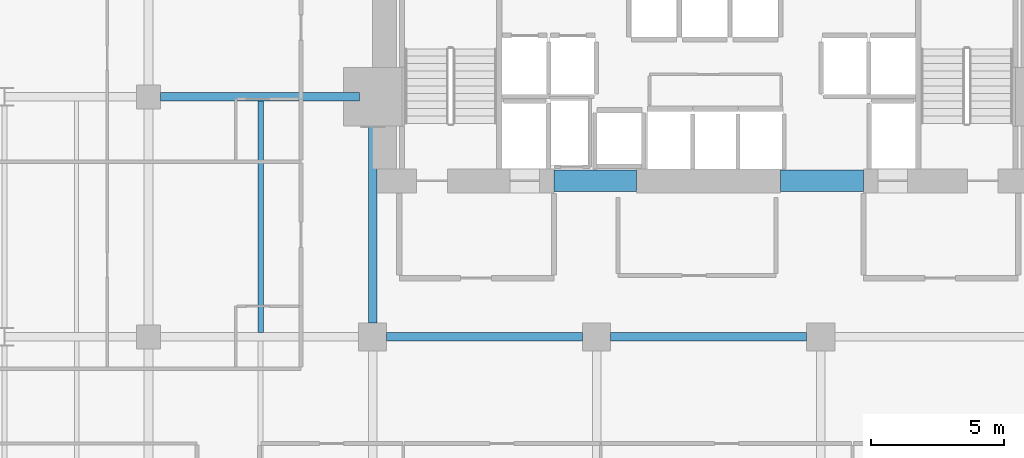
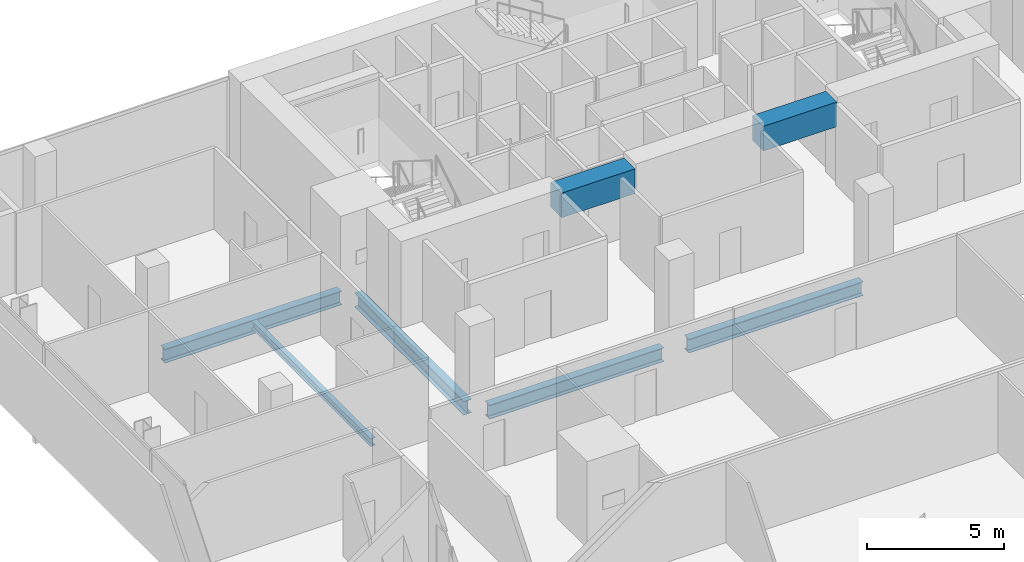
# One storey, part 24 of 40: 7 beams.
"""IFC4 building model written with IfcOpenShell, lengths in metres."""

from ifc_helpers import new_model, si_unit, direction, frame, origin, origin_2d, place, context, subcontext, project, spatial, rectangle, i_section, extrude, material, material_profile, profile_set, type_object, element, save


model = new_model("IFC4")

# Units and contexts
model_context = context("Model", 3, precision=1e-05, world=origin(), true_north=direction((0.0, 1.0)))
body_context = subcontext(model_context, "Body", "Model", "MODEL_VIEW")
ifc_project = project(units=[si_unit("LENGTHUNIT", "METRE"), si_unit("AREAUNIT", "SQUARE_METRE"), si_unit("VOLUMEUNIT", "CUBIC_METRE"), si_unit("PLANEANGLEUNIT", "RADIAN"), si_unit("MASSUNIT", "GRAM", prefix="KILO")], contexts=[model_context])

# Site, building, storey
site_placement = place(None, origin())
site = spatial("IfcSite", under=ifc_project, at=site_placement, CompositionType="ELEMENT")
building_placement = place(site_placement, origin())
building = spatial("IfcBuilding", under=site, at=building_placement, Name="Maruvema Waterfront Hotel and Observation Tower", CompositionType="ELEMENT")
storey_placement = place(building_placement, frame((0.0, 0.0, 53.89990234375)))
storey = spatial("IfcBuildingStorey", under=building, at=storey_placement, Name="L12", CompositionType="ELEMENT", Elevation=53.89990234375)

# Beams
ifc_material_1 = material(Name="Concrete C60/75", Category="concrete")
ifc_material_profile_1 = material_profile(ifc_material_1, rectangle(XDim=0.800048828125, YDim=1.10009765625, at=origin_2d()), Name="CB800x1100")
ifc_profile_set_1 = profile_set([ifc_material_profile_1], Name="Concrete C60/75")
beam_type_1 = type_object("IfcBeamType", Name="Core Coupling Lintel Beam CB800x1100", PredefinedType="LINTEL", material=ifc_profile_set_1)
for number, where, z_axis, x_axis, name in (
    (1, (32.0, 41.85009765625, 3.06005859375), (1.0, 0.0, 0.0), (0.0, 1.0, 0.0), "L12 Core Coupling Lintel Beam West"),
    (2, (40.5, 41.85009765625, 3.06005859375), (1.0, 0.0, 0.0), (0.0, 1.0, 0.0), "L12 Core Coupling Lintel Beam East"),
):
    element("IfcBeam", number, at=place(storey_placement, frame(where, z_axis=z_axis, x_axis=x_axis)), inside=storey, type_object=beam_type_1, Name=name, PredefinedType="LINTEL", context=body_context, shape_type="SweptSolid", body=[
        extrude(rectangle(XDim=0.800048828125, YDim=1.10009765625, at=origin_2d()), origin(), (0.0, 0.0, 1.0), 3.10009765625),
    ])
ifc_material_2 = material(Name="Steel ASTM A572 Grade 50", Category="steel")
ifc_material_profile_2 = material_profile(ifc_material_2, i_section(OverallWidth=0.326904296875, OverallDepth=0.6220703125, WebThickness=0.015380859375, FlangeThickness=0.0244140625, FilletRadius=0.01806640625, at=origin_2d()), Name="W610x195.0")
ifc_profile_set_2 = profile_set([ifc_material_profile_2], Name="Steel ASTM A572 Grade 50")
beam_type_2 = type_object("IfcBeamType", Name="Primary Floor Girder W610x195.0", PredefinedType="BEAM", material=ifc_profile_set_2)
beam_1_placement = place(storey_placement, frame((25.72509765625, 36.0, -0.55078125), z_axis=(1.0, 0.0, 0.0), x_axis=(0.0, 1.0, 0.0)))
element("IfcBeam", 3, at=beam_1_placement, inside=storey, type_object=beam_type_2, Name="L12 Floor Girder EW-27", PredefinedType="BEAM", context=body_context, shape_type="SweptSolid", body=[
    extrude(i_section(OverallWidth=0.326904296875, OverallDepth=0.6220703125, WebThickness=0.015380859375, FlangeThickness=0.0244140625, FilletRadius=0.01806640625, at=origin_2d()), origin(), (0.0, 0.0, 1.0), 7.349853515625),
])
beam_2_placement = place(storey_placement, frame((34.125, 36.0, -0.55078125), z_axis=(1.0, 0.0, 0.0), x_axis=(0.0, 1.0, 0.0)))
element("IfcBeam", 4, at=beam_2_placement, inside=storey, type_object=beam_type_2, Name="L12 Floor Girder EW-28", PredefinedType="BEAM", context=body_context, shape_type="SweptSolid", body=[
    extrude(i_section(OverallWidth=0.326904296875, OverallDepth=0.6220703125, WebThickness=0.015380859375, FlangeThickness=0.0244140625, FilletRadius=0.01806640625, at=origin_2d()), origin(), (0.0, 0.0, 1.0), 7.35009765625),
])
beam_3_placement = place(storey_placement, frame((17.25, 45.0, -0.55078125), z_axis=(1.0, 0.0, 0.0), x_axis=(0.0, 1.0, 0.0)))
element("IfcBeam", 5, at=beam_3_placement, inside=storey, type_object=beam_type_2, Name="L12 Floor Girder EW-33", PredefinedType="BEAM", context=body_context, shape_type="SweptSolid", body=[
    extrude(i_section(OverallWidth=0.326904296875, OverallDepth=0.6220703125, WebThickness=0.015380859375, FlangeThickness=0.0244140625, FilletRadius=0.01806640625, at=origin_2d()), origin(), (0.0, 0.0, 1.0), 7.449951171875),
])
beam_4_placement = place(storey_placement, frame((25.199951171875, 36.52490234375, -0.55078125), z_axis=(0.0, 1.0, 0.0), x_axis=(-1.0, 0.0, 0.0)))
element("IfcBeam", 6, at=beam_4_placement, inside=storey, type_object=beam_type_2, Name="L12 Floor Girder NS-15", PredefinedType="BEAM", context=body_context, shape_type="SweptSolid", body=[
    extrude(i_section(OverallWidth=0.326904296875, OverallDepth=0.6220703125, WebThickness=0.015380859375, FlangeThickness=0.0244140625, FilletRadius=0.01806640625, at=origin_2d()), origin(), (0.0, 0.0, 1.0), 7.97509765625),
])
ifc_material_3 = material(Name="Steel ASTM A572 Grade 50", Category="steel")
ifc_material_profile_3 = material_profile(ifc_material_3, i_section(OverallWidth=0.202880859375, OverallDepth=0.346923828125, WebThickness=0.0078125, FlangeThickness=0.013427734375, FilletRadius=0.014892578125, at=origin_2d()), Name="W360x64.0")
ifc_profile_set_3 = profile_set([ifc_material_profile_3], Name="Steel ASTM A572 Grade 50")
beam_type_3 = type_object("IfcBeamType", Name="Secondary Floor Joist W360x64.0", PredefinedType="JOIST", material=ifc_profile_set_3)
beam_5_placement = place(storey_placement, frame((21.0, 36.16357421875, -0.413330078125), z_axis=(0.0, 1.0, 0.0), x_axis=(-1.0, 0.0, 0.0)))
element("IfcBeam", 7, at=beam_5_placement, inside=storey, type_object=beam_type_3, Name="L12 Secondary Floor Joist JS-09", PredefinedType="JOIST", context=body_context, shape_type="SweptSolid", body=[
    extrude(i_section(OverallWidth=0.202880859375, OverallDepth=0.346923828125, WebThickness=0.0078125, FlangeThickness=0.013427734375, FilletRadius=0.014892578125, at=origin_2d()), origin(), (0.0, 0.0, 1.0), 8.6728515625),
])

save(model, "model.ifc")
